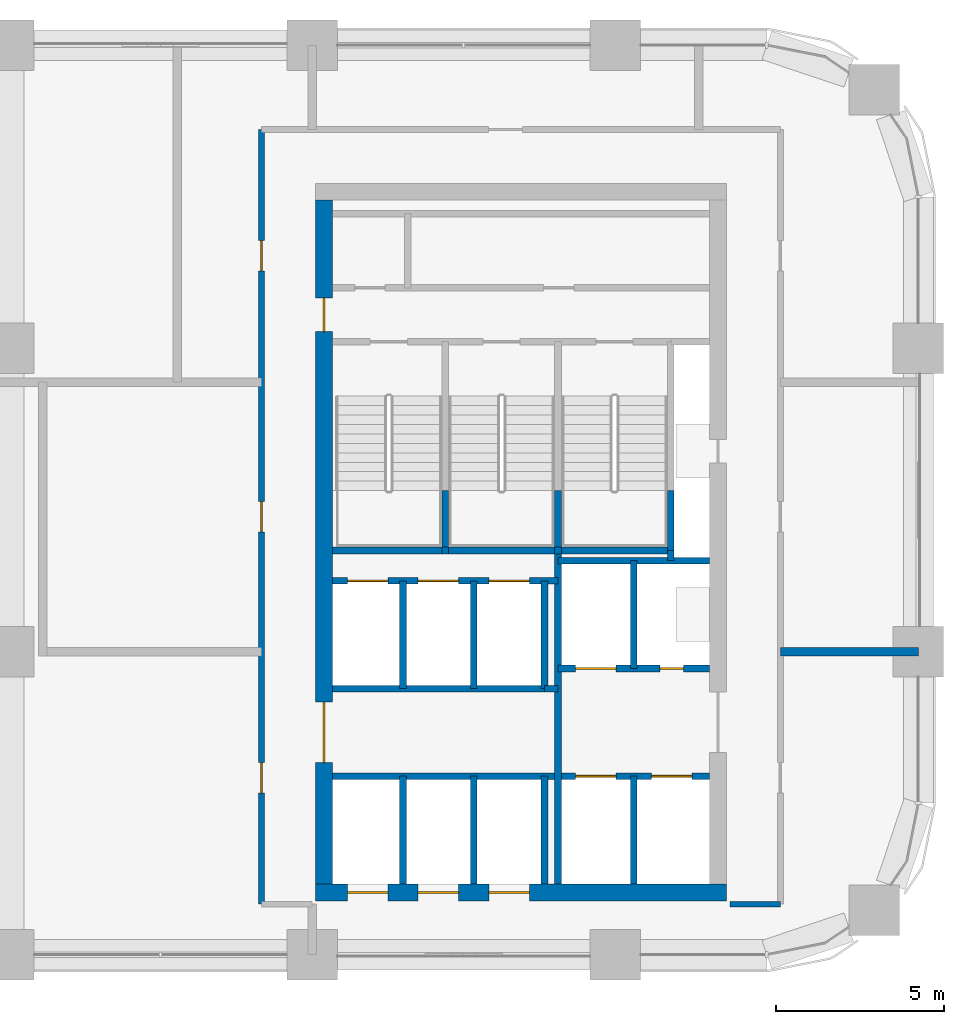
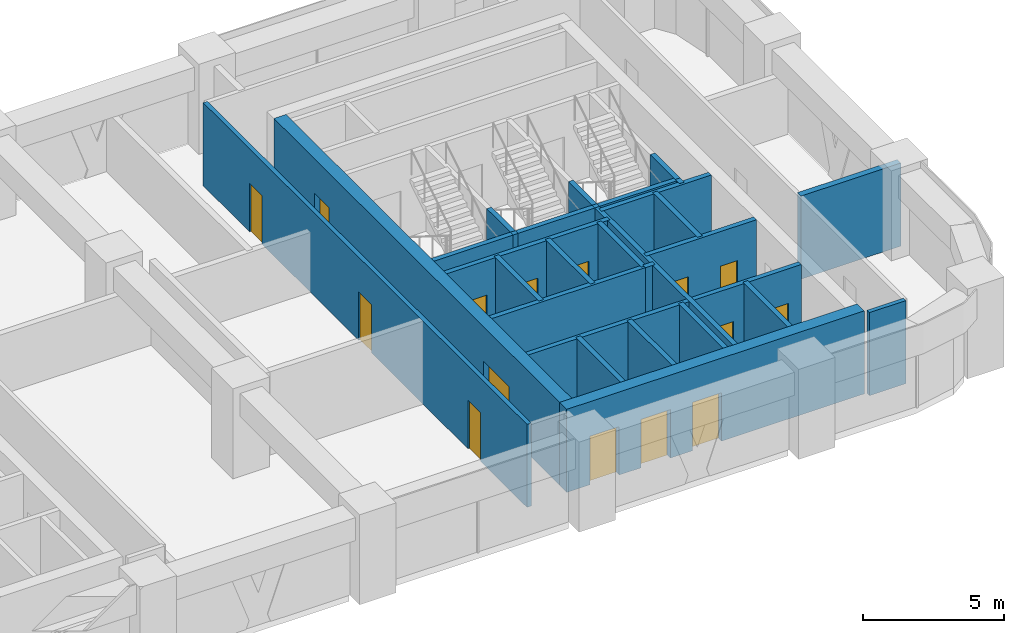
# One storey, part 10 of 14: 29 walls, 15 doors, 15 openings.
"""IFC4 building model written with IfcOpenShell, lengths in metres."""

from ifc_helpers import new_model, si_unit, direction, frame, frame_2d, origin, place, context, subcontext, project, spatial, rectangle, extrude, material, layer, layer_set, type_object, element, fill, save


model = new_model("IFC4")

# Units and contexts
model_context = context("Model", 3, precision=1e-05, world=origin(), true_north=direction((0.0, 1.0)))
body_context = subcontext(model_context, "Body", "Model", "MODEL_VIEW")
ifc_project = project(units=[si_unit("LENGTHUNIT", "METRE"), si_unit("AREAUNIT", "SQUARE_METRE"), si_unit("VOLUMEUNIT", "CUBIC_METRE"), si_unit("PLANEANGLEUNIT", "RADIAN"), si_unit("MASSUNIT", "GRAM", prefix="KILO")], contexts=[model_context])

# Site, building, storey
site_placement = place(None, origin())
site = spatial("IfcSite", under=ifc_project, at=site_placement, CompositionType="ELEMENT")
building_placement = place(site_placement, origin())
building = spatial("IfcBuilding", under=site, at=building_placement, Name="Tessera Arch", CompositionType="ELEMENT")
storey_placement = place(building_placement, frame((0.0, 0.0, 138.800048828125)))
storey = spatial("IfcBuildingStorey", under=building, at=storey_placement, Name="L32", CompositionType="ELEMENT", Elevation=138.800048828125)

# Wall
ifc_material_1 = material(Name="Gypsum board on steel stud", Category="steel")
ifc_layer_1 = layer(ifc_material_1, 0.125)
ifc_layer_set_1 = layer_set([ifc_layer_1], Name="Core partition 125 EI 60")
wall_type_1 = type_object("IfcWallType", Name="Core partition 125 EI 60", PredefinedType="PARTITIONING", material=ifc_layer_set_1)
wall_1_placement = place(storey_placement, frame((42.89990234375, 34.89990234375, 0.0), z_axis=(0.0, 0.0, 1.0), x_axis=(1.0, 0.0, 0.0)))
element("IfcWall", 1, at=wall_1_placement, inside=storey, type_object=wall_type_1, Name="L32 C1 partition wall 19", PredefinedType="PARTITIONING", context=body_context, shape_type="SweptSolid", body=[
    extrude(rectangle(XDim=0.400146484375, YDim=0.199951171875, at=frame_2d((0.2001953125, 0.0))), origin(), (0.0, 0.0, 1.0), 3.599853515625),
])

# Wall, openings, doors
ifc_material_2 = material(Name="Concrete C60/75", Category="concrete")
ifc_layer_2 = layer(ifc_material_2, 0.5)
ifc_layer_set_2 = layer_set([ifc_layer_2], Name="Core shell wall 500 C60-75")
wall_type_2 = type_object("IfcWallType", Name="Core shell wall 500 C60-75", PredefinedType="SHEAR", material=ifc_layer_set_2)
wall_2_placement = place(storey_placement, frame((36.10009765625, 28.85009765625, 0.0), z_axis=(0.0, 0.0, 1.0), x_axis=(1.0, 0.0, 0.0)))
wall_2 = element("IfcWall", 2, at=wall_2_placement, inside=storey, type_object=wall_type_2, Name="L32 C1 core wall S", PredefinedType="SHEAR", context=body_context, shape_type="SweptSolid", body=[
    extrude(rectangle(XDim=12.199951171875, YDim=0.5, at=frame_2d((6.10009765625, 0.0))), origin(), (0.0, 0.0, 1.0), 3.599853515625),
])
opening_1_placement = place(wall_2_placement, frame((0.949951171875, 0.0, 0.0)))
opening_1 = element("IfcOpeningElement", 3, at=opening_1_placement, cuts=wall_2, Name="Opening L32-C01", PredefinedType="OPENING", context=body_context, shape_type="SweptSolid", body=[
    extrude(rectangle(XDim=1.199951171875, YDim=2.10009765625, at=frame_2d((0.60009765625, 1.050048828125))), frame((0.0, 0.260009765625, 0.0), z_axis=(0.0, -1.0, 0.0), x_axis=(1.0, 0.0, 0.0)), (0.0, 0.0, 1.0), 0.52001953125),
])
opening_2_placement = place(wall_2_placement, frame((3.050048828125, 0.0, 0.0)))
opening_2 = element("IfcOpeningElement", 4, at=opening_2_placement, cuts=wall_2, Name="Opening L32-C03", PredefinedType="OPENING", context=body_context, shape_type="SweptSolid", body=[
    extrude(rectangle(XDim=1.199951171875, YDim=2.10009765625, at=frame_2d((0.60009765625, 1.050048828125))), frame((0.0, 0.260009765625, 0.0), z_axis=(0.0, -1.0, 0.0), x_axis=(1.0, 0.0, 0.0)), (0.0, 0.0, 1.0), 0.52001953125),
])
opening_3_placement = place(wall_2_placement, frame((5.14990234375, 0.0, 0.0)))
opening_3 = element("IfcOpeningElement", 5, at=opening_3_placement, cuts=wall_2, Name="Opening L32-C05", PredefinedType="OPENING", context=body_context, shape_type="SweptSolid", body=[
    extrude(rectangle(XDim=1.199951171875, YDim=2.10009765625, at=frame_2d((0.60009765625, 1.050048828125))), frame((0.0, 0.260009765625, 0.0), z_axis=(0.0, -1.0, 0.0), x_axis=(1.0, 0.0, 0.0)), (0.0, 0.0, 1.0), 0.52001953125),
])
ifc_material_3 = material(Name="Stainless steel AISI 304", Category="steel")
door_type_1 = type_object("IfcDoorType", Name="Sliding landing door 1200 x 2100", OperationType="SLIDING_TO_LEFT", PredefinedType="DOOR", material=ifc_material_3)
door_1_placement = place(opening_1_placement, origin())
door_1 = element("IfcDoor", 6, at=door_1_placement, inside=storey, type_object=door_type_1, Name="L32 HR1 lift landing door C01 type LD", OperationType="SLIDING_TO_LEFT", OverallHeight=2.10009765625, OverallWidth=1.199951171875, PredefinedType="DOOR", context=body_context, shape_type="SweptSolid", body=[
    extrude(rectangle(XDim=1.199951171875, YDim=2.10009765625, at=frame_2d((0.60009765625, 1.050048828125))), frame((0.0, 0.02490234375, 0.0), z_axis=(0.0, -1.0, 0.0), x_axis=(1.0, 0.0, 0.0)), (0.0, 0.0, 1.0), 0.050048828125),
])
fill(opening_1, door_1)
door_2_placement = place(opening_2_placement, origin())
door_2 = element("IfcDoor", 7, at=door_2_placement, inside=storey, type_object=door_type_1, Name="L32 HR2 lift landing door C03 type LD", OperationType="SLIDING_TO_LEFT", OverallHeight=2.10009765625, OverallWidth=1.199951171875, PredefinedType="DOOR", context=body_context, shape_type="SweptSolid", body=[
    extrude(rectangle(XDim=1.199951171875, YDim=2.10009765625, at=frame_2d((0.60009765625, 1.050048828125))), frame((0.0, 0.02490234375, 0.0), z_axis=(0.0, -1.0, 0.0), x_axis=(1.0, 0.0, 0.0)), (0.0, 0.0, 1.0), 0.050048828125),
])
fill(opening_2, door_2)
door_3_placement = place(opening_3_placement, origin())
door_3 = element("IfcDoor", 8, at=door_3_placement, inside=storey, type_object=door_type_1, Name="L32 HR3 lift landing door C05 type LD", OperationType="SLIDING_TO_LEFT", OverallHeight=2.10009765625, OverallWidth=1.199951171875, PredefinedType="DOOR", context=body_context, shape_type="SweptSolid", body=[
    extrude(rectangle(XDim=1.199951171875, YDim=2.10009765625, at=frame_2d((0.60009765625, 1.050048828125))), frame((0.0, 0.02490234375, 0.0), z_axis=(0.0, -1.0, 0.0), x_axis=(1.0, 0.0, 0.0)), (0.0, 0.0, 1.0), 0.050048828125),
])
fill(opening_3, door_3)

wall_3_placement = place(storey_placement, frame((36.35009765625, 29.10009765625, 0.0), z_axis=(0.0, 0.0, 1.0), x_axis=(0.0, 1.0, 0.0)))
wall_3 = element("IfcWall", 9, at=wall_3_placement, inside=storey, type_object=wall_type_2, Name="L32 C1 core wall W", PredefinedType="SHEAR", context=body_context, shape_type="SweptSolid", body=[
    extrude(rectangle(XDim=20.2998046875, YDim=0.5, at=frame_2d((10.14990234375, 0.0))), origin(), (0.0, 0.0, 1.0), 3.599853515625),
])
opening_4_placement = place(wall_3_placement, frame((3.60009765625, 0.0, 0.0)))
opening_4 = element("IfcOpeningElement", 10, at=opening_4_placement, cuts=wall_3, Name="Opening L32-C10", PredefinedType="OPENING", context=body_context, shape_type="SweptSolid", body=[
    extrude(rectangle(XDim=1.800048828125, YDim=2.10009765625, at=frame_2d((0.89990234375, 1.050048828125))), frame((0.0, 0.260009765625, 0.0), z_axis=(0.0, -1.0, 0.0), x_axis=(1.0, 0.0, 0.0)), (0.0, 0.0, 1.0), 0.52001953125),
])
opening_5_placement = place(wall_3_placement, frame((16.39990234375, 0.0, 0.0)))
opening_5 = element("IfcOpeningElement", 11, at=opening_5_placement, cuts=wall_3, Name="Opening L32-C17", PredefinedType="OPENING", context=body_context, shape_type="SweptSolid", body=[
    extrude(rectangle(XDim=1.0, YDim=2.10009765625, at=frame_2d((0.5, 1.050048828125))), frame((0.0, 0.260009765625, 0.0), z_axis=(0.0, -1.0, 0.0), x_axis=(1.0, 0.0, 0.0)), (0.0, 0.0, 1.0), 0.52001953125),
])
ifc_material_4 = material(Name="Steel door leaf", Category="steel")
door_type_2 = type_object("IfcDoorType", Name="Corridor door FD60 1000 x 2100", OperationType="SINGLE_SWING_LEFT", PredefinedType="DOOR", material=ifc_material_4)
door_4_placement = place(opening_5_placement, origin())
door_4 = element("IfcDoor", 12, at=door_4_placement, inside=storey, type_object=door_type_2, Name="L32 C1 door 17 C17 type D12", OperationType="SINGLE_SWING_RIGHT", OverallHeight=2.10009765625, OverallWidth=1.0, PredefinedType="DOOR", context=body_context, shape_type="SweptSolid", body=[
    extrude(rectangle(XDim=1.0, YDim=2.10009765625, at=frame_2d((0.5, 1.050048828125))), frame((0.0, 0.02490234375, 0.0), z_axis=(0.0, -1.0, 0.0), x_axis=(1.0, 0.0, 0.0)), (0.0, 0.0, 1.0), 0.050048828125),
])
fill(opening_5, door_4)
ifc_material_5 = material(Name="Glazed steel door leaf", Category="steel")
door_type_3 = type_object("IfcDoorType", Name="Lobby double door FD30S 1800 x 2100", OperationType="DOUBLE_DOOR_SINGLE_SWING", PredefinedType="DOOR", material=ifc_material_5)
door_5_placement = place(opening_4_placement, origin())
door_5 = element("IfcDoor", 13, at=door_5_placement, inside=storey, type_object=door_type_3, Name="L32 C1 door 10 C10 type D06", OperationType="DOUBLE_DOOR_SINGLE_SWING", OverallHeight=2.10009765625, OverallWidth=1.800048828125, PredefinedType="DOOR", context=body_context, shape_type="SweptSolid", body=[
    extrude(rectangle(XDim=1.800048828125, YDim=2.10009765625, at=frame_2d((0.89990234375, 1.050048828125))), frame((0.0, 0.02490234375, 0.0), z_axis=(0.0, -1.0, 0.0), x_axis=(1.0, 0.0, 0.0)), (0.0, 0.0, 1.0), 0.050048828125),
])
fill(opening_4, door_5)

# Wall
ifc_material_6 = material(Name="Gypsum board on deep steel stud with mineral wool", Category="steel")
ifc_layer_3 = layer(ifc_material_6, 0.175048828125)
ifc_layer_set_3 = layer_set([ifc_layer_3], Name="Corridor wall 175 EI 60")
wall_type_3 = type_object("IfcWallType", Name="Corridor wall 175 EI 60", PredefinedType="PARTITIONING", material=ifc_layer_set_3)
wall_4_placement = place(storey_placement, frame((48.39990234375, 28.5, 0.0), z_axis=(0.0, 0.0, 1.0), x_axis=(1.0, 0.0, 0.0)))
element("IfcWall", 14, at=wall_4_placement, inside=storey, type_object=wall_type_3, Name="L32 partition 4", PredefinedType="PARTITIONING", context=body_context, shape_type="SweptSolid", body=[
    extrude(rectangle(XDim=1.5, YDim=0.175048828125, at=frame_2d((0.75, 0.0))), origin(), (0.0, 0.0, 1.0), 3.599853515625),
])

# Wall, openings, doors
wall_5_placement = place(storey_placement, frame((34.5, 28.5, 0.0), z_axis=(0.0, 0.0, 1.0), x_axis=(0.0, 1.0, 0.0)))
wall_5 = element("IfcWall", 15, at=wall_5_placement, inside=storey, type_object=wall_type_3, Name="L32 partition 9", PredefinedType="PARTITIONING", context=body_context, shape_type="SweptSolid", body=[
    extrude(rectangle(XDim=23.0, YDim=0.175048828125, at=frame_2d((11.5, 0.0))), origin(), (0.0, 0.0, 1.0), 3.599853515625),
])
opening_6_placement = place(wall_5_placement, frame((3.300048828125, 0.0, 0.0)))
opening_6 = element("IfcOpeningElement", 16, at=opening_6_placement, cuts=wall_5, Name="Opening L32-D003", PredefinedType="OPENING", context=body_context, shape_type="SweptSolid", body=[
    extrude(rectangle(XDim=0.89990234375, YDim=2.10009765625, at=frame_2d((0.449951171875, 1.050048828125))), frame((0.0, 0.097412109375, 0.0), z_axis=(0.0, -1.0, 0.0), x_axis=(1.0, 0.0, 0.0)), (0.0, 0.0, 1.0), 0.195068359375),
])
opening_7_placement = place(wall_5_placement, frame((11.050048828125, 0.0, 0.0)))
opening_7 = element("IfcOpeningElement", 17, at=opening_7_placement, cuts=wall_5, Name="Opening L32-D004", PredefinedType="OPENING", context=body_context, shape_type="SweptSolid", body=[
    extrude(rectangle(XDim=0.89990234375, YDim=2.10009765625, at=frame_2d((0.449951171875, 1.050048828125))), frame((0.0, 0.097412109375, 0.0), z_axis=(0.0, -1.0, 0.0), x_axis=(1.0, 0.0, 0.0)), (0.0, 0.0, 1.0), 0.195068359375),
])
opening_8_placement = place(wall_5_placement, frame((18.800048828125, 0.0, 0.0)))
opening_8 = element("IfcOpeningElement", 18, at=opening_8_placement, cuts=wall_5, Name="Opening L32-D009", PredefinedType="OPENING", context=body_context, shape_type="SweptSolid", body=[
    extrude(rectangle(XDim=0.89990234375, YDim=2.10009765625, at=frame_2d((0.449951171875, 1.050048828125))), frame((0.0, 0.097412109375, 0.0), z_axis=(0.0, -1.0, 0.0), x_axis=(1.0, 0.0, 0.0)), (0.0, 0.0, 1.0), 0.195068359375),
])
ifc_material_7 = material(Name="Timber door leaf", Category="wood")
door_type_4 = type_object("IfcDoorType", Name="Room door 900 x 2100", OperationType="SINGLE_SWING_LEFT", PredefinedType="DOOR", material=ifc_material_7)
door_6_placement = place(opening_6_placement, origin())
door_6 = element("IfcDoor", 19, at=door_6_placement, inside=storey, type_object=door_type_4, Name="L32 door D003 type D01", OperationType="SINGLE_SWING_RIGHT", OverallHeight=2.10009765625, OverallWidth=0.89990234375, PredefinedType="DOOR", context=body_context, shape_type="SweptSolid", body=[
    extrude(rectangle(XDim=0.89990234375, YDim=2.10009765625, at=frame_2d((0.449951171875, 1.050048828125))), frame((0.0, 0.02490234375, 0.0), z_axis=(0.0, -1.0, 0.0), x_axis=(1.0, 0.0, 0.0)), (0.0, 0.0, 1.0), 0.050048828125),
])
fill(opening_6, door_6)
door_7_placement = place(opening_7_placement, origin())
door_7 = element("IfcDoor", 20, at=door_7_placement, inside=storey, type_object=door_type_4, Name="L32 door D004 type D01", OperationType="SINGLE_SWING_LEFT", OverallHeight=2.10009765625, OverallWidth=0.89990234375, PredefinedType="DOOR", context=body_context, shape_type="SweptSolid", body=[
    extrude(rectangle(XDim=0.89990234375, YDim=2.10009765625, at=frame_2d((0.449951171875, 1.050048828125))), frame((0.0, 0.02490234375, 0.0), z_axis=(0.0, -1.0, 0.0), x_axis=(1.0, 0.0, 0.0)), (0.0, 0.0, 1.0), 0.050048828125),
])
fill(opening_7, door_7)
door_8_placement = place(opening_8_placement, origin())
door_8 = element("IfcDoor", 21, at=door_8_placement, inside=storey, type_object=door_type_4, Name="L32 door D009 type D01", OperationType="SINGLE_SWING_RIGHT", OverallHeight=2.10009765625, OverallWidth=0.89990234375, PredefinedType="DOOR", context=body_context, shape_type="SweptSolid", body=[
    extrude(rectangle(XDim=0.89990234375, YDim=2.10009765625, at=frame_2d((0.449951171875, 1.050048828125))), frame((0.0, 0.02490234375, 0.0), z_axis=(0.0, -1.0, 0.0), x_axis=(1.0, 0.0, 0.0)), (0.0, 0.0, 1.0), 0.050048828125),
])
fill(opening_8, door_8)

# Walls
ifc_material_8 = material(Name="Double gypsum board on twin steel stud with acoustic mineral wool", Category="steel")
ifc_layer_4 = layer(ifc_material_8, 0.25)
ifc_layer_set_4 = layer_set([ifc_layer_4], Name="Party wall 250 EI 60")
wall_type_4 = type_object("IfcWallType", Name="Party wall 250 EI 60", PredefinedType="PARTITIONING", material=ifc_layer_set_4)
wall_6_placement = place(storey_placement, frame((49.89990234375, 36.0, 0.0), z_axis=(0.0, 0.0, 1.0), x_axis=(1.0, 0.0, 0.0)))
element("IfcWall", 22, at=wall_6_placement, inside=storey, type_object=wall_type_4, Name="L32 partition 12", PredefinedType="PARTITIONING", context=body_context, shape_type="SweptSolid", body=[
    extrude(rectangle(XDim=4.10009765625, YDim=0.25, at=frame_2d((2.050048828125, 0.0))), origin(), (0.0, 0.0, 1.0), 3.599853515625),
])
ifc_material_9 = material(Name="Concrete C40/50", Category="concrete")
ifc_layer_5 = layer(ifc_material_9, 0.199951171875)
ifc_layer_set_5 = layer_set([ifc_layer_5], Name="Shaft wall 200 EI 120")
wall_type_5 = type_object("IfcWallType", Name="Shaft wall 200 EI 120", PredefinedType="SOLIDWALL", material=ifc_layer_set_5)
wall_7_placement = place(storey_placement, frame((38.699951171875, 29.10009765625, 0.0), z_axis=(0.0, 0.0, 1.0), x_axis=(0.0, 1.0, 0.0)))
element("IfcWall", 23, at=wall_7_placement, inside=storey, type_object=wall_type_5, Name="L32 C1 shaft wall 1", PredefinedType="SOLIDWALL", context=body_context, shape_type="SweptSolid", body=[
    extrude(rectangle(XDim=3.199951171875, YDim=0.199951171875, at=frame_2d((1.60009765625, 0.0))), origin(), (0.0, 0.0, 1.0), 3.599853515625),
])
wall_8_placement = place(storey_placement, frame((38.699951171875, 34.89990234375, 0.0), z_axis=(0.0, 0.0, 1.0), x_axis=(0.0, 1.0, 0.0)))
element("IfcWall", 24, at=wall_8_placement, inside=storey, type_object=wall_type_5, Name="L32 C1 shaft wall 2", PredefinedType="SOLIDWALL", context=body_context, shape_type="SweptSolid", body=[
    extrude(rectangle(XDim=3.2001953125, YDim=0.199951171875, at=frame_2d((1.60009765625, 0.0))), origin(), (0.0, 0.0, 1.0), 3.599853515625),
])
wall_9_placement = place(storey_placement, frame((40.800048828125, 29.10009765625, 0.0), z_axis=(0.0, 0.0, 1.0), x_axis=(0.0, 1.0, 0.0)))
element("IfcWall", 25, at=wall_9_placement, inside=storey, type_object=wall_type_5, Name="L32 C1 shaft wall 6", PredefinedType="SOLIDWALL", context=body_context, shape_type="SweptSolid", body=[
    extrude(rectangle(XDim=3.199951171875, YDim=0.199951171875, at=frame_2d((1.60009765625, 0.0))), origin(), (0.0, 0.0, 1.0), 3.599853515625),
])
wall_10_placement = place(storey_placement, frame((40.800048828125, 34.89990234375, 0.0), z_axis=(0.0, 0.0, 1.0), x_axis=(0.0, 1.0, 0.0)))
element("IfcWall", 26, at=wall_10_placement, inside=storey, type_object=wall_type_5, Name="L32 C1 shaft wall 7", PredefinedType="SOLIDWALL", context=body_context, shape_type="SweptSolid", body=[
    extrude(rectangle(XDim=3.2001953125, YDim=0.199951171875, at=frame_2d((1.60009765625, 0.0))), origin(), (0.0, 0.0, 1.0), 3.599853515625),
])
wall_11_placement = place(storey_placement, frame((42.89990234375, 29.10009765625, 0.0), z_axis=(0.0, 0.0, 1.0), x_axis=(0.0, 1.0, 0.0)))
element("IfcWall", 27, at=wall_11_placement, inside=storey, type_object=wall_type_5, Name="L32 C1 shaft wall 8", PredefinedType="SOLIDWALL", context=body_context, shape_type="SweptSolid", body=[
    extrude(rectangle(XDim=3.199951171875, YDim=0.199951171875, at=frame_2d((1.60009765625, 0.0))), origin(), (0.0, 0.0, 1.0), 3.599853515625),
])
wall_12_placement = place(storey_placement, frame((42.89990234375, 34.89990234375, 0.0), z_axis=(0.0, 0.0, 1.0), x_axis=(0.0, 1.0, 0.0)))
element("IfcWall", 28, at=wall_12_placement, inside=storey, type_object=wall_type_5, Name="L32 C1 shaft wall 9", PredefinedType="SOLIDWALL", context=body_context, shape_type="SweptSolid", body=[
    extrude(rectangle(XDim=3.2001953125, YDim=0.199951171875, at=frame_2d((1.60009765625, 0.0))), origin(), (0.0, 0.0, 1.0), 3.599853515625),
])
wall_13_placement = place(storey_placement, frame((43.300048828125, 29.10009765625, 0.0), z_axis=(0.0, 0.0, 1.0), x_axis=(0.0, 1.0, 0.0)))
element("IfcWall", 29, at=wall_13_placement, inside=storey, type_object=wall_type_5, Name="L32 C1 shaft wall 10", PredefinedType="SOLIDWALL", context=body_context, shape_type="SweptSolid", body=[
    extrude(rectangle(XDim=9.89990234375, YDim=0.199951171875, at=frame_2d((4.949951171875, 0.0))), origin(), (0.0, 0.0, 1.0), 3.599853515625),
])
for number, where, z_axis, x_axis, name in (
    (30, (45.550048828125, 29.10009765625, 0.0), (0.0, 0.0, 1.0), (0.0, 1.0, 0.0), "L32 C1 shaft wall 13"),
    (31, (45.550048828125, 35.5, 0.0), (0.0, 0.0, 1.0), (0.0, 1.0, 0.0), "L32 C1 shaft wall 14"),
):
    element("IfcWall", number, at=place(storey_placement, frame(where, z_axis=z_axis, x_axis=x_axis)), inside=storey, type_object=wall_type_5, Name=name, PredefinedType="SOLIDWALL", context=body_context, shape_type="SweptSolid", body=[
        extrude(rectangle(XDim=3.199951171875, YDim=0.199951171875, at=frame_2d((1.60009765625, 0.0))), origin(), (0.0, 0.0, 1.0), 3.599853515625),
    ])
wall_14_placement = place(storey_placement, frame((46.64990234375, 38.699951171875, 0.0), z_axis=(0.0, 0.0, 1.0), x_axis=(0.0, 1.0, 0.0)))
element("IfcWall", 32, at=wall_14_placement, inside=storey, type_object=wall_type_5, Name="L32 C1 shaft wall 15", PredefinedType="SOLIDWALL", context=body_context, shape_type="SweptSolid", body=[
    extrude(rectangle(XDim=0.300048828125, YDim=0.199951171875, at=frame_2d((0.14990234375, 0.0))), origin(), (0.0, 0.0, 1.0), 3.599853515625),
])

# Wall, openings, doors
wall_15_placement = place(storey_placement, frame((36.60009765625, 32.300048828125, 0.0), z_axis=(0.0, 0.0, 1.0), x_axis=(1.0, 0.0, 0.0)))
wall_15 = element("IfcWall", 33, at=wall_15_placement, inside=storey, type_object=wall_type_5, Name="L32 C1 shaft wall 18", PredefinedType="SOLIDWALL", context=body_context, shape_type="SweptSolid", body=[
    extrude(rectangle(XDim=11.199951171875, YDim=0.199951171875, at=frame_2d((5.60009765625, 0.0))), origin(), (0.0, 0.0, 1.0), 3.599853515625),
])
opening_9_placement = place(wall_15_placement, frame((7.22509765625, 0.0, 0.0)))
opening_9 = element("IfcOpeningElement", 34, at=opening_9_placement, cuts=wall_15, Name="Opening L32-C07", PredefinedType="OPENING", context=body_context, shape_type="SweptSolid", body=[
    extrude(rectangle(XDim=1.199951171875, YDim=2.10009765625, at=frame_2d((0.60009765625, 1.050048828125))), frame((0.0, 0.10986328125, 0.0), z_axis=(0.0, -1.0, 0.0), x_axis=(1.0, 0.0, 0.0)), (0.0, 0.0, 1.0), 0.219970703125),
])
opening_10_placement = place(wall_15_placement, frame((9.47509765625, 0.0, 0.0)))
opening_10 = element("IfcOpeningElement", 35, at=opening_10_placement, cuts=wall_15, Name="Opening L32-C08", PredefinedType="OPENING", context=body_context, shape_type="SweptSolid", body=[
    extrude(rectangle(XDim=1.199951171875, YDim=2.10009765625, at=frame_2d((0.60009765625, 1.050048828125))), frame((0.0, 0.10986328125, 0.0), z_axis=(0.0, -1.0, 0.0), x_axis=(1.0, 0.0, 0.0)), (0.0, 0.0, 1.0), 0.219970703125),
])
door_9_placement = place(opening_9_placement, origin())
door_9 = element("IfcDoor", 36, at=door_9_placement, inside=storey, type_object=door_type_1, Name="L32 FF1 lift landing door C07 type LD", OperationType="SLIDING_TO_LEFT", OverallHeight=2.10009765625, OverallWidth=1.199951171875, PredefinedType="DOOR", context=body_context, shape_type="SweptSolid", body=[
    extrude(rectangle(XDim=1.199951171875, YDim=2.10009765625, at=frame_2d((0.60009765625, 1.050048828125))), frame((0.0, 0.02490234375, 0.0), z_axis=(0.0, -1.0, 0.0), x_axis=(1.0, 0.0, 0.0)), (0.0, 0.0, 1.0), 0.050048828125),
])
fill(opening_9, door_9)
door_10_placement = place(opening_10_placement, origin())
door_10 = element("IfcDoor", 37, at=door_10_placement, inside=storey, type_object=door_type_1, Name="L32 FF2 lift landing door C08 type LD", OperationType="SLIDING_TO_LEFT", OverallHeight=2.10009765625, OverallWidth=1.199951171875, PredefinedType="DOOR", context=body_context, shape_type="SweptSolid", body=[
    extrude(rectangle(XDim=1.199951171875, YDim=2.10009765625, at=frame_2d((0.60009765625, 1.050048828125))), frame((0.0, 0.02490234375, 0.0), z_axis=(0.0, -1.0, 0.0), x_axis=(1.0, 0.0, 0.0)), (0.0, 0.0, 1.0), 0.050048828125),
])
fill(opening_10, door_10)

# Wall
wall_16_placement = place(storey_placement, frame((36.60009765625, 34.89990234375, 0.0), z_axis=(0.0, 0.0, 1.0), x_axis=(1.0, 0.0, 0.0)))
element("IfcWall", 38, at=wall_16_placement, inside=storey, type_object=wall_type_5, Name="L32 C1 shaft wall 20", PredefinedType="SOLIDWALL", context=body_context, shape_type="SweptSolid", body=[
    extrude(rectangle(XDim=6.2998046875, YDim=0.199951171875, at=frame_2d((3.14990234375, 0.0))), origin(), (0.0, 0.0, 1.0), 3.599853515625),
])

# Wall, openings, doors
wall_17_placement = place(storey_placement, frame((43.300048828125, 35.5, 0.0), z_axis=(0.0, 0.0, 1.0), x_axis=(1.0, 0.0, 0.0)))
wall_17 = element("IfcWall", 39, at=wall_17_placement, inside=storey, type_object=wall_type_5, Name="L32 C1 shaft wall 21", PredefinedType="SOLIDWALL", context=body_context, shape_type="SweptSolid", body=[
    extrude(rectangle(XDim=4.5, YDim=0.199951171875, at=frame_2d((2.25, 0.0))), origin(), (0.0, 0.0, 1.0), 3.599853515625),
])
opening_11_placement = place(wall_17_placement, frame((0.52490234375, 0.0, 0.0)))
opening_11 = element("IfcOpeningElement", 40, at=opening_11_placement, cuts=wall_17, Name="Opening L32-C09", PredefinedType="OPENING", context=body_context, shape_type="SweptSolid", body=[
    extrude(rectangle(XDim=1.199951171875, YDim=2.10009765625, at=frame_2d((0.60009765625, 1.050048828125))), frame((0.0, 0.10986328125, 0.0), z_axis=(0.0, -1.0, 0.0), x_axis=(1.0, 0.0, 0.0)), (0.0, 0.0, 1.0), 0.219970703125),
])
opening_12_placement = place(wall_17_placement, frame((3.02490234375, 0.0, 0.0)))
opening_12 = element("IfcOpeningElement", 41, at=opening_12_placement, cuts=wall_17, Name="Opening L32-C16", PredefinedType="OPENING", context=body_context, shape_type="SweptSolid", body=[
    extrude(rectangle(XDim=0.699951171875, YDim=2.10009765625, at=frame_2d((0.35009765625, 1.050048828125))), frame((0.0, 0.10986328125, 0.0), z_axis=(0.0, -1.0, 0.0), x_axis=(1.0, 0.0, 0.0)), (0.0, 0.0, 1.0), 0.219970703125),
])
ifc_material_10 = material(Name="Steel door leaf", Category="steel")
door_type_5 = type_object("IfcDoorType", Name="Service shaft door FD60 700 x 2100", OperationType="SINGLE_SWING_LEFT", PredefinedType="DOOR", material=ifc_material_10)
door_11_placement = place(opening_12_placement, origin())
door_11 = element("IfcDoor", 42, at=door_11_placement, inside=storey, type_object=door_type_5, Name="L32 C1 door 16 C16 type D07", OperationType="SINGLE_SWING_RIGHT", OverallHeight=2.10009765625, OverallWidth=0.699951171875, PredefinedType="DOOR", context=body_context, shape_type="SweptSolid", body=[
    extrude(rectangle(XDim=0.699951171875, YDim=2.10009765625, at=frame_2d((0.35009765625, 1.050048828125))), frame((0.0, 0.02490234375, 0.0), z_axis=(0.0, -1.0, 0.0), x_axis=(1.0, 0.0, 0.0)), (0.0, 0.0, 1.0), 0.050048828125),
])
fill(opening_12, door_11)
door_12_placement = place(opening_11_placement, origin())
door_12 = element("IfcDoor", 43, at=door_12_placement, inside=storey, type_object=door_type_1, Name="L32 SV2 lift landing door C09 type LD", OperationType="SLIDING_TO_LEFT", OverallHeight=2.10009765625, OverallWidth=1.199951171875, PredefinedType="DOOR", context=body_context, shape_type="SweptSolid", body=[
    extrude(rectangle(XDim=1.199951171875, YDim=2.10009765625, at=frame_2d((0.60009765625, 1.050048828125))), frame((0.0, 0.02490234375, 0.0), z_axis=(0.0, -1.0, 0.0), x_axis=(1.0, 0.0, 0.0)), (0.0, 0.0, 1.0), 0.050048828125),
])
fill(opening_11, door_12)

wall_18_placement = place(storey_placement, frame((36.60009765625, 38.10009765625, 0.0), z_axis=(0.0, 0.0, 1.0), x_axis=(1.0, 0.0, 0.0)))
wall_18 = element("IfcWall", 44, at=wall_18_placement, inside=storey, type_object=wall_type_5, Name="L32 C1 shaft wall 22", PredefinedType="SOLIDWALL", context=body_context, shape_type="SweptSolid", body=[
    extrude(rectangle(XDim=6.699951171875, YDim=0.199951171875, at=frame_2d((3.35009765625, 0.0))), origin(), (0.0, 0.0, 1.0), 3.599853515625),
])
opening_13_placement = place(wall_18_placement, frame((0.449951171875, 0.0, 0.0)))
opening_13 = element("IfcOpeningElement", 45, at=opening_13_placement, cuts=wall_18, Name="Opening L32-C02", PredefinedType="OPENING", context=body_context, shape_type="SweptSolid", body=[
    extrude(rectangle(XDim=1.199951171875, YDim=2.10009765625, at=frame_2d((0.60009765625, 1.050048828125))), frame((0.0, 0.10986328125, 0.0), z_axis=(0.0, -1.0, 0.0), x_axis=(1.0, 0.0, 0.0)), (0.0, 0.0, 1.0), 0.219970703125),
])
opening_14_placement = place(wall_18_placement, frame((2.550048828125, 0.0, 0.0)))
opening_14 = element("IfcOpeningElement", 46, at=opening_14_placement, cuts=wall_18, Name="Opening L32-C04", PredefinedType="OPENING", context=body_context, shape_type="SweptSolid", body=[
    extrude(rectangle(XDim=1.199951171875, YDim=2.10009765625, at=frame_2d((0.60009765625, 1.050048828125))), frame((0.0, 0.10986328125, 0.0), z_axis=(0.0, -1.0, 0.0), x_axis=(1.0, 0.0, 0.0)), (0.0, 0.0, 1.0), 0.219970703125),
])
opening_15_placement = place(wall_18_placement, frame((4.64990234375, 0.0, 0.0)))
opening_15 = element("IfcOpeningElement", 47, at=opening_15_placement, cuts=wall_18, Name="Opening L32-C06", PredefinedType="OPENING", context=body_context, shape_type="SweptSolid", body=[
    extrude(rectangle(XDim=1.199951171875, YDim=2.10009765625, at=frame_2d((0.60009765625, 1.050048828125))), frame((0.0, 0.10986328125, 0.0), z_axis=(0.0, -1.0, 0.0), x_axis=(1.0, 0.0, 0.0)), (0.0, 0.0, 1.0), 0.219970703125),
])
door_13_placement = place(opening_13_placement, origin())
door_13 = element("IfcDoor", 48, at=door_13_placement, inside=storey, type_object=door_type_1, Name="L32 HR4 lift landing door C02 type LD", OperationType="SLIDING_TO_LEFT", OverallHeight=2.10009765625, OverallWidth=1.199951171875, PredefinedType="DOOR", context=body_context, shape_type="SweptSolid", body=[
    extrude(rectangle(XDim=1.199951171875, YDim=2.10009765625, at=frame_2d((0.60009765625, 1.050048828125))), frame((0.0, 0.02490234375, 0.0), z_axis=(0.0, -1.0, 0.0), x_axis=(1.0, 0.0, 0.0)), (0.0, 0.0, 1.0), 0.050048828125),
])
fill(opening_13, door_13)
door_14_placement = place(opening_14_placement, origin())
door_14 = element("IfcDoor", 49, at=door_14_placement, inside=storey, type_object=door_type_1, Name="L32 HR5 lift landing door C04 type LD", OperationType="SLIDING_TO_LEFT", OverallHeight=2.10009765625, OverallWidth=1.199951171875, PredefinedType="DOOR", context=body_context, shape_type="SweptSolid", body=[
    extrude(rectangle(XDim=1.199951171875, YDim=2.10009765625, at=frame_2d((0.60009765625, 1.050048828125))), frame((0.0, 0.02490234375, 0.0), z_axis=(0.0, -1.0, 0.0), x_axis=(1.0, 0.0, 0.0)), (0.0, 0.0, 1.0), 0.050048828125),
])
fill(opening_14, door_14)
door_15_placement = place(opening_15_placement, origin())
door_15 = element("IfcDoor", 50, at=door_15_placement, inside=storey, type_object=door_type_1, Name="L32 HR6 lift landing door C06 type LD", OperationType="SLIDING_TO_LEFT", OverallHeight=2.10009765625, OverallWidth=1.199951171875, PredefinedType="DOOR", context=body_context, shape_type="SweptSolid", body=[
    extrude(rectangle(XDim=1.199951171875, YDim=2.10009765625, at=frame_2d((0.60009765625, 1.050048828125))), frame((0.0, 0.02490234375, 0.0), z_axis=(0.0, -1.0, 0.0), x_axis=(1.0, 0.0, 0.0)), (0.0, 0.0, 1.0), 0.050048828125),
])
fill(opening_15, door_15)

# Walls
wall_19_placement = place(storey_placement, frame((43.300048828125, 38.699951171875, 0.0), z_axis=(0.0, 0.0, 1.0), x_axis=(1.0, 0.0, 0.0)))
element("IfcWall", 51, at=wall_19_placement, inside=storey, type_object=wall_type_5, Name="L32 C1 shaft wall 23", PredefinedType="SOLIDWALL", context=body_context, shape_type="SweptSolid", body=[
    extrude(rectangle(XDim=4.5, YDim=0.199951171875, at=frame_2d((2.25, 0.0))), origin(), (0.0, 0.0, 1.0), 3.599853515625),
])
ifc_material_11 = material(Name="Concrete C40/50", Category="concrete")
ifc_layer_6 = layer(ifc_material_11, 0.199951171875)
ifc_layer_set_6 = layer_set([ifc_layer_6], Name="Stair well wall 200 REI 180")
wall_type_6 = type_object("IfcWallType", Name="Stair well wall 200 REI 180", PredefinedType="SOLIDWALL", material=ifc_layer_set_6)
for number, where, z_axis, x_axis, name in (
    (52, (39.949951171875, 39.0, 0.0), (0.0, 0.0, 1.0), (0.0, 1.0, 0.0), "L32 C1 shaft wall 4"),
    (53, (43.300048828125, 39.0, 0.0), (0.0, 0.0, 1.0), (0.0, 1.0, 0.0), "L32 C1 shaft wall 11"),
    (54, (46.64990234375, 39.0, 0.0), (0.0, 0.0, 1.0), (0.0, 1.0, 0.0), "L32 C1 shaft wall 16"),
):
    element("IfcWall", number, at=place(storey_placement, frame(where, z_axis=z_axis, x_axis=x_axis)), inside=storey, type_object=wall_type_6, Name=name, PredefinedType="SOLIDWALL", context=body_context, shape_type="SweptSolid", body=[
        extrude(rectangle(XDim=1.780029296875, YDim=0.199951171875, at=frame_2d((0.89013671875, 0.0))), origin(), (0.0, 0.0, 1.0), 3.599853515625),
    ])
wall_20_placement = place(storey_placement, frame((36.60009765625, 39.0, 0.0), z_axis=(0.0, 0.0, 1.0), x_axis=(1.0, 0.0, 0.0)))
element("IfcWall", 55, at=wall_20_placement, inside=storey, type_object=wall_type_6, Name="L32 C1 shaft wall 24", PredefinedType="SOLIDWALL", context=body_context, shape_type="SweptSolid", body=[
    extrude(rectangle(XDim=3.25, YDim=0.199951171875, at=frame_2d((1.625, 0.0))), origin(), (0.0, 0.0, 1.0), 3.599853515625),
])
wall_21_placement = place(storey_placement, frame((39.85009765625, 39.0, 0.0), z_axis=(0.0, 0.0, 1.0), x_axis=(1.0, 0.0, 0.0)))
element("IfcWall", 56, at=wall_21_placement, inside=storey, type_object=wall_type_6, Name="L32 C1 shaft wall 25", PredefinedType="SOLIDWALL", context=body_context, shape_type="SweptSolid", body=[
    extrude(rectangle(XDim=0.199951171875, YDim=0.199951171875, at=frame_2d((0.10009765625, 0.0))), origin(), (0.0, 0.0, 1.0), 3.599853515625),
])
wall_22_placement = place(storey_placement, frame((40.050048828125, 39.0, 0.0), z_axis=(0.0, 0.0, 1.0), x_axis=(1.0, 0.0, 0.0)))
element("IfcWall", 57, at=wall_22_placement, inside=storey, type_object=wall_type_6, Name="L32 C1 shaft wall 26", PredefinedType="SOLIDWALL", context=body_context, shape_type="SweptSolid", body=[
    extrude(rectangle(XDim=3.14990234375, YDim=0.199951171875, at=frame_2d((1.574951171875, 0.0))), origin(), (0.0, 0.0, 1.0), 3.599853515625),
])
wall_23_placement = place(storey_placement, frame((43.199951171875, 39.0, 0.0), z_axis=(0.0, 0.0, 1.0), x_axis=(1.0, 0.0, 0.0)))
element("IfcWall", 58, at=wall_23_placement, inside=storey, type_object=wall_type_6, Name="L32 C1 shaft wall 27", PredefinedType="SOLIDWALL", context=body_context, shape_type="SweptSolid", body=[
    extrude(rectangle(XDim=0.199951171875, YDim=0.199951171875, at=frame_2d((0.10009765625, 0.0))), origin(), (0.0, 0.0, 1.0), 3.599853515625),
])
wall_24_placement = place(storey_placement, frame((43.39990234375, 39.0, 0.0), z_axis=(0.0, 0.0, 1.0), x_axis=(1.0, 0.0, 0.0)))
element("IfcWall", 59, at=wall_24_placement, inside=storey, type_object=wall_type_6, Name="L32 C1 shaft wall 28", PredefinedType="SOLIDWALL", context=body_context, shape_type="SweptSolid", body=[
    extrude(rectangle(XDim=3.25, YDim=0.199951171875, at=frame_2d((1.625, 0.0))), origin(), (0.0, 0.0, 1.0), 3.599853515625),
])

save(model, "model.ifc")
